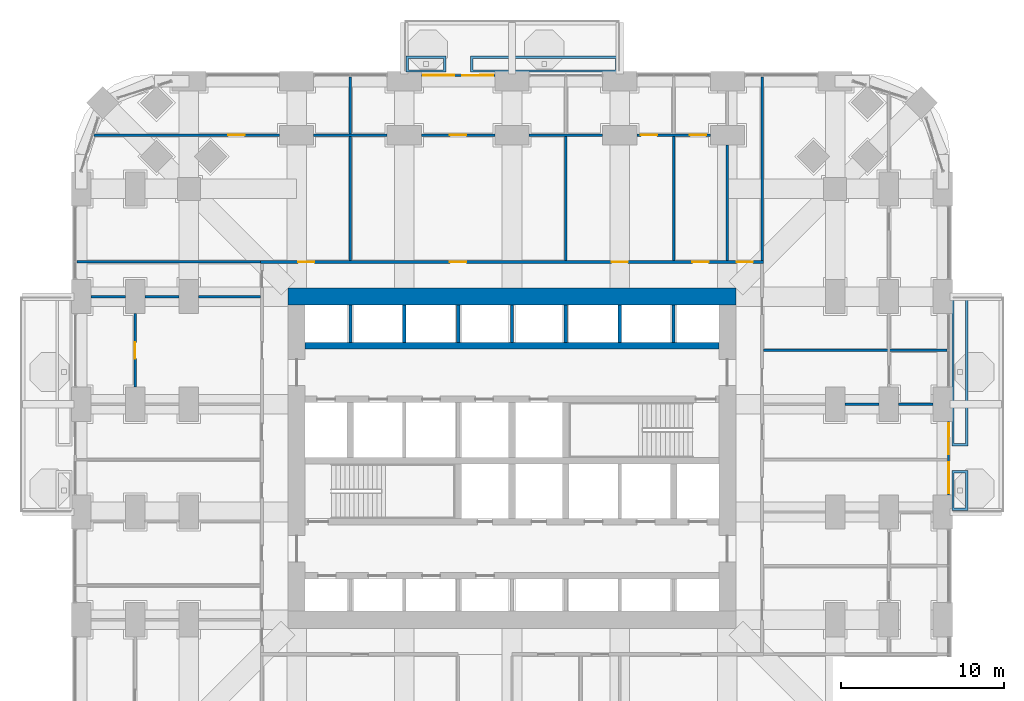
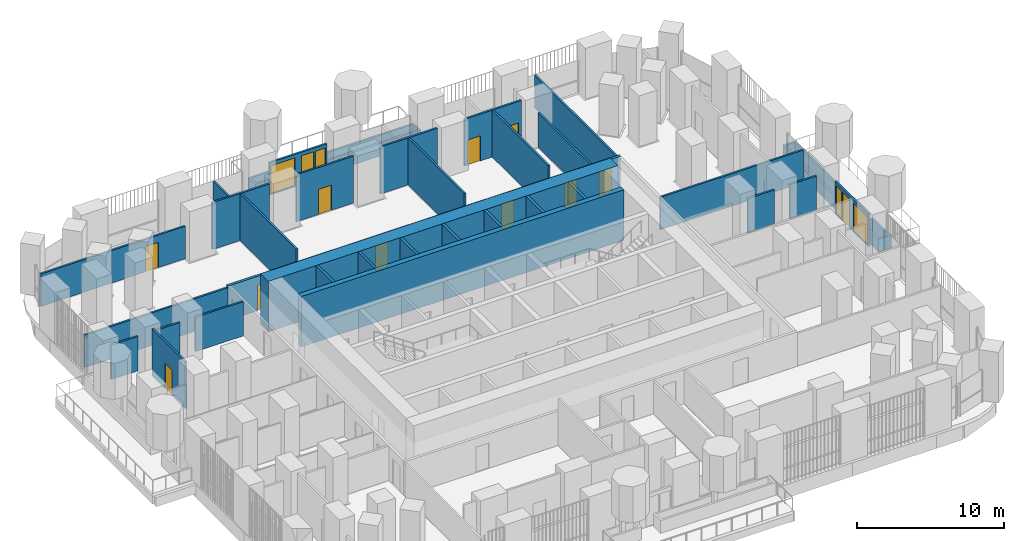
# One storey, part 20 of 26: 35 walls, 12 doors, 4 windows, 16 openings.
"""IFC4 building model written with IfcOpenShell, lengths in metres."""

from ifc_helpers import new_model, si_unit, direction, frame, frame_2d, origin, place, context, subcontext, project, spatial, polyline, rectangle, outline, extrude, material, layer, layer_set, type_object, element, fill, save


model = new_model("IFC4")

# Units and contexts
model_context = context("Model", 3, precision=1e-05, world=origin(), true_north=direction((0.0, 1.0)))
body_context = subcontext(model_context, "Body", "Model", "MODEL_VIEW")
ifc_project = project(units=[si_unit("LENGTHUNIT", "METRE"), si_unit("AREAUNIT", "SQUARE_METRE"), si_unit("VOLUMEUNIT", "CUBIC_METRE"), si_unit("PLANEANGLEUNIT", "RADIAN"), si_unit("MASSUNIT", "GRAM", prefix="KILO")], contexts=[model_context])

# Site, building, storey
site_placement = place(None, origin())
site = spatial("IfcSite", under=ifc_project, at=site_placement, CompositionType="ELEMENT")
building_placement = place(site_placement, origin())
building = spatial("IfcBuilding", under=site, at=building_placement, Name="Cobogo Forest Laboratory Tower", CompositionType="ELEMENT")
storey_placement = place(building_placement, frame((0.0, 0.0, 50.699951171875)))
storey = spatial("IfcBuildingStorey", under=building, at=storey_placement, Name="L11", CompositionType="ELEMENT", Elevation=50.699951171875)

# Walls
ifc_material_1 = material(Name="Concrete HA-50 (C50/60)", Category="concrete")
ifc_layer_1 = layer(ifc_material_1, 0.39990234375)
ifc_layer_set_1 = layer_set([ifc_layer_1], Name="CI400 core inner wall 400")
wall_type_1 = type_object("IfcWallType", Name="CI400 core inner wall 400", PredefinedType="SHEAR", material=ifc_layer_set_1)
wall_1_placement = place(storey_placement, frame((13.72509765625, 30.0, 0.0), z_axis=(0.0, 0.0, 1.0), x_axis=(1.0, 0.0, 0.0)))
element("IfcWall", 1, at=wall_1_placement, inside=storey, type_object=wall_type_1, Name="Core wall CI-30.0 L11", PredefinedType="SHEAR", context=body_context, shape_type="SweptSolid", body=[
    extrude(rectangle(XDim=25.349853515625, YDim=0.39990234375, at=frame_2d((12.6748046875, 0.0))), origin(), (0.0, 0.0, 1.0), 4.199951171875),
])
ifc_layer_2 = layer(ifc_material_1, 1.050048828125)
ifc_layer_set_2 = layer_set([ifc_layer_2], Name="CW1050 core outer wall 1050")
wall_type_2 = type_object("IfcWallType", Name="CW1050 core outer wall 1050", PredefinedType="SHEAR", material=ifc_layer_set_2)
wall_2_placement = place(storey_placement, frame((40.125, 33.0, 0.0), z_axis=(0.0, 0.0, 1.0), x_axis=(-1.0, 0.0, 0.0)))
element("IfcWall", 2, at=wall_2_placement, inside=storey, type_object=wall_type_2, Name="Core wall CO-N L11", PredefinedType="SHEAR", context=body_context, shape_type="SweptSolid", body=[
    extrude(rectangle(XDim=27.449951171875, YDim=1.050048828125, at=frame_2d((13.72509765625, 0.0))), origin(), (0.0, 0.0, 1.0), 4.199951171875),
])

# Wall, openings, door, windows
ifc_material_2 = material(Name="Aluminium framed glazed screen", Category="aluminium")
ifc_layer_3 = layer(ifc_material_2, 0.14990234375)
ifc_layer_set_3 = layer_set([ifc_layer_3], Name="GS1 glazed door screen 150")
wall_type_3 = type_object("IfcWallType", Name="GS1 glazed door screen 150", PredefinedType="SOLIDWALL", material=ifc_layer_set_3)
wall_3_placement = place(storey_placement, frame((53.14990234375, 20.85009765625, 0.0), z_axis=(0.0, 0.0, 1.0), x_axis=(0.0, 1.0, 0.0)))
wall_3 = element("IfcWall", 3, at=wall_3_placement, inside=storey, type_object=wall_type_3, Name="Door screen BAL-E1 L11", PredefinedType="SOLIDWALL", context=body_context, shape_type="SweptSolid", body=[
    extrude(rectangle(XDim=4.5, YDim=0.14990234375, at=frame_2d((2.25, 0.0))), origin(), (0.0, 0.0, 1.0), 2.699951171875),
])
opening_1_placement = place(wall_3_placement, frame((2.5, 0.0, 0.0)))
opening_1 = element("IfcOpeningElement", 4, at=opening_1_placement, cuts=wall_3, Name="Opening L11-D26", PredefinedType="OPENING", context=body_context, shape_type="SweptSolid", body=[
    extrude(rectangle(XDim=1.0, YDim=2.39990234375, at=frame_2d((0.5, 1.199951171875))), frame((0.0, 0.0849609375, 0.0), z_axis=(0.0, -1.0, 0.0), x_axis=(1.0, 0.0, 0.0)), (0.0, 0.0, 1.0), 0.169921875),
])
opening_2_placement = place(wall_3_placement, frame((0.10009765625, 0.0, 0.10009765625)))
opening_2 = element("IfcOpeningElement", 5, at=opening_2_placement, cuts=wall_3, Name="Opening L11-W04", PredefinedType="OPENING", context=body_context, shape_type="SweptSolid", body=[
    extrude(rectangle(XDim=1.89990234375, YDim=2.300048828125, at=frame_2d((0.949951171875, 1.14990234375))), frame((0.0, 0.0849609375, 0.0), z_axis=(0.0, -1.0, 0.0), x_axis=(1.0, 0.0, 0.0)), (0.0, 0.0, 1.0), 0.169921875),
])
opening_3_placement = place(wall_3_placement, frame((3.60009765625, 0.0, 0.10009765625)))
opening_3 = element("IfcOpeningElement", 6, at=opening_3_placement, cuts=wall_3, Name="Opening L11-W06", PredefinedType="OPENING", context=body_context, shape_type="SweptSolid", body=[
    extrude(rectangle(XDim=0.800048828125, YDim=2.300048828125, at=frame_2d((0.39990234375, 1.14990234375))), frame((0.0, 0.0849609375, 0.0), z_axis=(0.0, -1.0, 0.0), x_axis=(1.0, 0.0, 0.0)), (0.0, 0.0, 1.0), 0.169921875),
])
ifc_material_3 = material(Name="Aluminium glazed door", Category="aluminium")
door_type_1 = type_object("IfcDoorType", Name="DB1 balcony door 1000 glazed", OperationType="SINGLE_SWING_LEFT", PredefinedType="DOOR", material=ifc_material_3)
door_1_placement = place(opening_1_placement, origin())
door_1 = element("IfcDoor", 7, at=door_1_placement, inside=storey, type_object=door_type_1, Name="Door L11-BAL-E1", OperationType="SINGLE_SWING_RIGHT", OverallHeight=2.39990234375, OverallWidth=1.0, PredefinedType="DOOR", context=body_context, shape_type="SweptSolid", body=[
    extrude(rectangle(XDim=1.0, YDim=2.39990234375, at=frame_2d((0.5, 1.199951171875))), frame((0.0, 0.02490234375, 0.0), z_axis=(0.0, -1.0, 0.0), x_axis=(1.0, 0.0, 0.0)), (0.0, 0.0, 1.0), 0.050048828125),
])
fill(opening_1, door_1)
ifc_material_4 = material(Name="Aluminium framed glazing", Category="aluminium")
window_type_1 = type_object("IfcWindowType", Name="WG3 fixed glazed light 1900x2300", PartitioningType="SINGLE_PANEL", PredefinedType="WINDOW", material=ifc_material_4)
window_1_placement = place(opening_2_placement, origin())
window_1 = element("IfcWindow", 8, at=window_1_placement, inside=storey, type_object=window_type_1, Name="Window L11-BAL-E1-1", OverallHeight=2.300048828125, OverallWidth=1.89990234375, PartitioningType="SINGLE_PANEL", PredefinedType="WINDOW", context=body_context, shape_type="SweptSolid", body=[
    extrude(rectangle(XDim=1.89990234375, YDim=2.300048828125, at=frame_2d((0.949951171875, 1.14990234375))), frame((0.0, 0.030029296875, 0.0), z_axis=(0.0, -1.0, 0.0), x_axis=(1.0, 0.0, 0.0)), (0.0, 0.0, 1.0), 0.06005859375),
])
fill(opening_2, window_1)
window_type_2 = type_object("IfcWindowType", Name="WG4 fixed glazed light 800x2300", PartitioningType="SINGLE_PANEL", PredefinedType="WINDOW", material=ifc_material_4)
window_2_placement = place(opening_3_placement, origin())
window_2 = element("IfcWindow", 9, at=window_2_placement, inside=storey, type_object=window_type_2, Name="Window L11-BAL-E1-2", OverallHeight=2.300048828125, OverallWidth=0.800048828125, PartitioningType="SINGLE_PANEL", PredefinedType="WINDOW", context=body_context, shape_type="SweptSolid", body=[
    extrude(rectangle(XDim=0.800048828125, YDim=2.300048828125, at=frame_2d((0.39990234375, 1.14990234375))), frame((0.0, 0.030029296875, 0.0), z_axis=(0.0, -1.0, 0.0), x_axis=(1.0, 0.0, 0.0)), (0.0, 0.0, 1.0), 0.06005859375),
])
fill(opening_3, window_2)

wall_4_placement = place(storey_placement, frame((25.35009765625, 46.550048828125, 0.0), z_axis=(0.0, 0.0, 1.0), x_axis=(-1.0, 0.0, 0.0)))
wall_4 = element("IfcWall", 10, at=wall_4_placement, inside=storey, type_object=wall_type_3, Name="Door screen BAL-N1 L11", PredefinedType="SOLIDWALL", context=body_context, shape_type="SweptSolid", body=[
    extrude(rectangle(XDim=4.5, YDim=0.14990234375, at=frame_2d((2.25, 0.0))), origin(), (0.0, 0.0, 1.0), 2.699951171875),
])
opening_4_placement = place(wall_4_placement, frame((1.0, 0.0, 0.0)))
opening_4 = element("IfcOpeningElement", 11, at=opening_4_placement, cuts=wall_4, Name="Opening L11-D48", PredefinedType="OPENING", context=body_context, shape_type="SweptSolid", body=[
    extrude(rectangle(XDim=1.0, YDim=2.39990234375, at=frame_2d((0.5, 1.199951171875))), frame((0.0, 0.0849609375, 0.0), z_axis=(0.0, -1.0, 0.0), x_axis=(1.0, 0.0, 0.0)), (0.0, 0.0, 1.0), 0.169921875),
])
opening_5_placement = place(wall_4_placement, frame((0.10009765625, 0.0, 0.10009765625)))
opening_5 = element("IfcOpeningElement", 12, at=opening_5_placement, cuts=wall_4, Name="Opening L11-W08", PredefinedType="OPENING", context=body_context, shape_type="SweptSolid", body=[
    extrude(rectangle(XDim=0.800048828125, YDim=2.300048828125, at=frame_2d((0.39990234375, 1.14990234375))), frame((0.0, 0.0849609375, 0.0), z_axis=(0.0, -1.0, 0.0), x_axis=(1.0, 0.0, 0.0)), (0.0, 0.0, 1.0), 0.169921875),
])
opening_6_placement = place(wall_4_placement, frame((2.5, 0.0, 0.10009765625)))
opening_6 = element("IfcOpeningElement", 13, at=opening_6_placement, cuts=wall_4, Name="Opening L11-W07", PredefinedType="OPENING", context=body_context, shape_type="SweptSolid", body=[
    extrude(rectangle(XDim=1.89990234375, YDim=2.300048828125, at=frame_2d((0.949951171875, 1.14990234375))), frame((0.0, 0.0849609375, 0.0), z_axis=(0.0, -1.0, 0.0), x_axis=(1.0, 0.0, 0.0)), (0.0, 0.0, 1.0), 0.169921875),
])
door_2_placement = place(opening_4_placement, origin())
door_2 = element("IfcDoor", 14, at=door_2_placement, inside=storey, type_object=door_type_1, Name="Door L11-BAL-N1", OperationType="SINGLE_SWING_LEFT", OverallHeight=2.39990234375, OverallWidth=1.0, PredefinedType="DOOR", context=body_context, shape_type="SweptSolid", body=[
    extrude(rectangle(XDim=1.0, YDim=2.39990234375, at=frame_2d((0.5, 1.199951171875))), frame((0.0, 0.02490234375, 0.0), z_axis=(0.0, -1.0, 0.0), x_axis=(1.0, 0.0, 0.0)), (0.0, 0.0, 1.0), 0.050048828125),
])
fill(opening_4, door_2)
window_3_placement = place(opening_6_placement, origin())
window_3 = element("IfcWindow", 15, at=window_3_placement, inside=storey, type_object=window_type_1, Name="Window L11-BAL-N1-2", OverallHeight=2.300048828125, OverallWidth=1.89990234375, PartitioningType="SINGLE_PANEL", PredefinedType="WINDOW", context=body_context, shape_type="SweptSolid", body=[
    extrude(rectangle(XDim=1.89990234375, YDim=2.300048828125, at=frame_2d((0.949951171875, 1.14990234375))), frame((0.0, 0.030029296875, 0.0), z_axis=(0.0, -1.0, 0.0), x_axis=(1.0, 0.0, 0.0)), (0.0, 0.0, 1.0), 0.06005859375),
])
fill(opening_6, window_3)
window_4_placement = place(opening_5_placement, origin())
window_4 = element("IfcWindow", 16, at=window_4_placement, inside=storey, type_object=window_type_2, Name="Window L11-BAL-N1-1", OverallHeight=2.300048828125, OverallWidth=0.800048828125, PartitioningType="SINGLE_PANEL", PredefinedType="WINDOW", context=body_context, shape_type="SweptSolid", body=[
    extrude(rectangle(XDim=0.800048828125, YDim=2.300048828125, at=frame_2d((0.39990234375, 1.14990234375))), frame((0.0, 0.030029296875, 0.0), z_axis=(0.0, -1.0, 0.0), x_axis=(1.0, 0.0, 0.0)), (0.0, 0.0, 1.0), 0.06005859375),
])
fill(opening_5, window_4)

# Walls
ifc_material_5 = material(Name="Gypsum board on steel studs", Category="steel")
ifc_layer_4 = layer(ifc_material_5, 0.14990234375)
ifc_layer_set_4 = layer_set([ifc_layer_4], Name="PT1 laboratory partition 150")
wall_type_4 = type_object("IfcWallType", Name="PT1 laboratory partition 150", PredefinedType="PARTITIONING", material=ifc_layer_set_4)
wall_5_placement = place(storey_placement, frame((41.72509765625, 46.469970703125, 0.0), z_axis=(0.0, 0.0, 1.0), x_axis=(0.0, -1.0, 0.0)))
element("IfcWall", 17, at=wall_5_placement, inside=storey, type_object=wall_type_4, Name="Partition PW-NE L11", PredefinedType="PARTITIONING", context=body_context, shape_type="SweptSolid", body=[
    extrude(rectangle(XDim=11.244873046875, YDim=0.14990234375, at=frame_2d((5.62255859375, 0.0))), origin(), (0.0, 0.0, 1.0), 2.699951171875),
])
wall_6_placement = place(storey_placement, frame((-0.27001953125, 35.125, 0.0), z_axis=(0.0, 0.0, 1.0), x_axis=(1.0, 0.0, 0.0)))
element("IfcWall", 18, at=wall_6_placement, inside=storey, type_object=wall_type_4, Name="Partition PW-NW L11", PredefinedType="PARTITIONING", context=body_context, shape_type="SweptSolid", body=[
    extrude(rectangle(XDim=11.2451171875, YDim=0.14990234375, at=frame_2d((5.62255859375, 0.0))), origin(), (0.0, 0.0, 1.0), 2.699951171875),
])
for number, where, z_axis, x_axis, name in (
    (19, (52.199951171875, 26.39990234375, 0.0), (0.0, 0.0, 1.0), (-1.0, 0.0, 0.0), "Partition SVC-E2-1 L11"),
    (20, (48.89990234375, 26.39990234375, 0.0), (0.0, 0.0, 1.0), (-1.0, 0.0, 0.0), "Partition SVC-E2-2 L11"),
):
    element("IfcWall", number, at=place(storey_placement, frame(where, z_axis=z_axis, x_axis=x_axis)), inside=storey, type_object=wall_type_4, Name=name, PredefinedType="PARTITIONING", context=body_context, shape_type="SweptSolid", body=[
        extrude(rectangle(XDim=2.099853515625, YDim=0.14990234375, at=frame_2d((1.0498046875, 0.0))), origin(), (0.0, 0.0, 1.0), 2.85009765625),
    ])
wall_7_placement = place(storey_placement, frame((53.070068359375, 29.699951171875, 0.0), z_axis=(0.0, 0.0, 1.0), x_axis=(-1.0, 0.0, 0.0)))
element("IfcWall", 21, at=wall_7_placement, inside=storey, type_object=wall_type_4, Name="Partition CUT-E29.7-1 L11", PredefinedType="PARTITIONING", context=body_context, shape_type="SweptSolid", body=[
    extrude(rectangle(XDim=11.2451171875, YDim=0.14990234375, at=frame_2d((5.62255859375, 0.0))), origin(), (0.0, 0.0, 1.0), 2.699951171875),
])

# Wall, openings, doors
wall_8_placement = place(storey_placement, frame((38.550048828125, 42.89990234375, 0.0), z_axis=(0.0, 0.0, 1.0), x_axis=(-1.0, 0.0, 0.0)))
wall_8 = element("IfcWall", 22, at=wall_8_placement, inside=storey, type_object=wall_type_4, Name="Partition STRIP-N-1 L11", PredefinedType="PARTITIONING", context=body_context, shape_type="SweptSolid", body=[
    extrude(rectangle(XDim=4.5, YDim=0.14990234375, at=frame_2d((2.25, 0.0))), origin(), (0.0, 0.0, 1.0), 3.900146484375),
])
opening_7_placement = place(wall_8_placement, frame((3.25, 0.0, 0.0)))
opening_7 = element("IfcOpeningElement", 23, at=opening_7_placement, cuts=wall_8, Name="Opening L11-D46", PredefinedType="OPENING", context=body_context, shape_type="SweptSolid", body=[
    extrude(rectangle(XDim=1.0, YDim=2.10009765625, at=frame_2d((0.5, 1.050048828125))), frame((0.0, 0.0849609375, 0.0), z_axis=(0.0, -1.0, 0.0), x_axis=(1.0, 0.0, 0.0)), (0.0, 0.0, 1.0), 0.169921875),
])
opening_8_placement = place(wall_8_placement, frame((0.25, 0.0, 0.0)))
opening_8 = element("IfcOpeningElement", 24, at=opening_8_placement, cuts=wall_8, Name="Opening L11-D47", PredefinedType="OPENING", context=body_context, shape_type="SweptSolid", body=[
    extrude(rectangle(XDim=1.0, YDim=2.10009765625, at=frame_2d((0.5, 1.050048828125))), frame((0.0, 0.0849609375, 0.0), z_axis=(0.0, -1.0, 0.0), x_axis=(1.0, 0.0, 0.0)), (0.0, 0.0, 1.0), 0.169921875),
])
ifc_material_6 = material(Name="Timber fire door", Category="wood")
door_type_2 = type_object("IfcDoorType", Name="FD2 fire door 1000 EI2 30", OperationType="SINGLE_SWING_LEFT", PredefinedType="DOOR", material=ifc_material_6)
door_3_placement = place(opening_7_placement, origin())
door_3 = element("IfcDoor", 25, at=door_3_placement, inside=storey, type_object=door_type_2, Name="Door L11-N3W", OperationType="SINGLE_SWING_RIGHT", OverallHeight=2.10009765625, OverallWidth=1.0, PredefinedType="DOOR", context=body_context, shape_type="SweptSolid", body=[
    extrude(rectangle(XDim=1.0, YDim=2.10009765625, at=frame_2d((0.5, 1.050048828125))), frame((0.0, 0.02490234375, 0.0), z_axis=(0.0, -1.0, 0.0), x_axis=(1.0, 0.0, 0.0)), (0.0, 0.0, 1.0), 0.050048828125),
])
fill(opening_7, door_3)
door_4_placement = place(opening_8_placement, origin())
door_4 = element("IfcDoor", 26, at=door_4_placement, inside=storey, type_object=door_type_2, Name="Door L11-N4W", OperationType="SINGLE_SWING_LEFT", OverallHeight=2.10009765625, OverallWidth=1.0, PredefinedType="DOOR", context=body_context, shape_type="SweptSolid", body=[
    extrude(rectangle(XDim=1.0, YDim=2.10009765625, at=frame_2d((0.5, 1.050048828125))), frame((0.0, 0.02490234375, 0.0), z_axis=(0.0, -1.0, 0.0), x_axis=(1.0, 0.0, 0.0)), (0.0, 0.0, 1.0), 0.050048828125),
])
fill(opening_8, door_4)

# Wall
wall_9_placement = place(storey_placement, frame((31.949951171875, 42.89990234375, 0.0), z_axis=(0.0, 0.0, 1.0), x_axis=(-1.0, 0.0, 0.0)))
element("IfcWall", 27, at=wall_9_placement, inside=storey, type_object=wall_type_4, Name="Partition STRIP-N-2 L11", PredefinedType="PARTITIONING", context=body_context, shape_type="SweptSolid", body=[
    extrude(rectangle(XDim=4.5, YDim=0.14990234375, at=frame_2d((2.25, 0.0))), origin(), (0.0, 0.0, 1.0), 3.900146484375),
])

# Wall, opening, door
wall_10_placement = place(storey_placement, frame((25.35009765625, 42.89990234375, 0.0), z_axis=(0.0, 0.0, 1.0), x_axis=(-1.0, 0.0, 0.0)))
wall_10 = element("IfcWall", 28, at=wall_10_placement, inside=storey, type_object=wall_type_4, Name="Partition STRIP-N-3 L11", PredefinedType="PARTITIONING", context=body_context, shape_type="SweptSolid", body=[
    extrude(rectangle(XDim=4.5, YDim=0.14990234375, at=frame_2d((2.25, 0.0))), origin(), (0.0, 0.0, 1.0), 3.900146484375),
])
opening_9_placement = place(wall_10_placement, frame((1.75, 0.0, 0.0)))
opening_9 = element("IfcOpeningElement", 29, at=opening_9_placement, cuts=wall_10, Name="Opening L11-D45", PredefinedType="OPENING", context=body_context, shape_type="SweptSolid", body=[
    extrude(rectangle(XDim=1.0, YDim=2.10009765625, at=frame_2d((0.5, 1.050048828125))), frame((0.0, 0.0849609375, 0.0), z_axis=(0.0, -1.0, 0.0), x_axis=(1.0, 0.0, 0.0)), (0.0, 0.0, 1.0), 0.169921875),
])
door_5_placement = place(opening_9_placement, origin())
door_5 = element("IfcDoor", 30, at=door_5_placement, inside=storey, type_object=door_type_2, Name="Door L11-N2W", OperationType="SINGLE_SWING_RIGHT", OverallHeight=2.10009765625, OverallWidth=1.0, PredefinedType="DOOR", context=body_context, shape_type="SweptSolid", body=[
    extrude(rectangle(XDim=1.0, YDim=2.10009765625, at=frame_2d((0.5, 1.050048828125))), frame((0.0, 0.02490234375, 0.0), z_axis=(0.0, -1.0, 0.0), x_axis=(1.0, 0.0, 0.0)), (0.0, 0.0, 1.0), 0.050048828125),
])
fill(opening_9, door_5)

# Wall
wall_11_placement = place(storey_placement, frame((18.75, 42.89990234375, 0.0), z_axis=(0.0, 0.0, 1.0), x_axis=(-1.0, 0.0, 0.0)))
element("IfcWall", 31, at=wall_11_placement, inside=storey, type_object=wall_type_4, Name="Partition STRIP-N-4 L11", PredefinedType="PARTITIONING", context=body_context, shape_type="SweptSolid", body=[
    extrude(rectangle(XDim=4.5, YDim=0.14990234375, at=frame_2d((2.25, 0.0))), origin(), (0.0, 0.0, 1.0), 3.900146484375),
])

# Wall, opening, door
wall_12_placement = place(storey_placement, frame((12.14990234375, 42.89990234375, 0.0), z_axis=(0.0, 0.0, 1.0), x_axis=(-1.0, 0.0, 0.0)))
wall_12 = element("IfcWall", 32, at=wall_12_placement, inside=storey, type_object=wall_type_4, Name="Partition STRIP-N-5 L11", PredefinedType="PARTITIONING", context=body_context, shape_type="SweptSolid", body=[
    extrude(rectangle(XDim=11.373779296875, YDim=0.14990234375, at=frame_2d((5.68701171875, 0.0))), origin(), (0.0, 0.0, 1.0), 2.699951171875),
])
opening_10_placement = place(wall_12_placement, frame((2.14208984375, 0.0, 0.0)))
opening_10 = element("IfcOpeningElement", 33, at=opening_10_placement, cuts=wall_12, Name="Opening L11-D44", PredefinedType="OPENING", context=body_context, shape_type="SweptSolid", body=[
    extrude(rectangle(XDim=1.0, YDim=2.10009765625, at=frame_2d((0.5, 1.050048828125))), frame((0.0, 0.0849609375, 0.0), z_axis=(0.0, -1.0, 0.0), x_axis=(1.0, 0.0, 0.0)), (0.0, 0.0, 1.0), 0.169921875),
])
door_6_placement = place(opening_10_placement, origin())
door_6 = element("IfcDoor", 34, at=door_6_placement, inside=storey, type_object=door_type_2, Name="Door L11-N1W", OperationType="SINGLE_SWING_LEFT", OverallHeight=2.10009765625, OverallWidth=1.0, PredefinedType="DOOR", context=body_context, shape_type="SweptSolid", body=[
    extrude(rectangle(XDim=1.0, YDim=2.10009765625, at=frame_2d((0.5, 1.050048828125))), frame((0.0, 0.02490234375, 0.0), z_axis=(0.0, -1.0, 0.0), x_axis=(1.0, 0.0, 0.0)), (0.0, 0.0, 1.0), 0.050048828125),
])
fill(opening_10, door_6)

# Walls
wall_13_placement = place(storey_placement, frame((16.5, 46.469970703125, 0.0), z_axis=(0.0, 0.0, 1.0), x_axis=(0.0, -1.0, 0.0)))
element("IfcWall", 35, at=wall_13_placement, inside=storey, type_object=wall_type_4, Name="Partition CUT-N16.5a-1 L11", PredefinedType="PARTITIONING", context=body_context, shape_type="SweptSolid", body=[
    extrude(rectangle(XDim=3.494873046875, YDim=0.14990234375, at=frame_2d((1.74755859375, 0.0))), origin(), (0.0, 0.0, 1.0), 2.699951171875),
])
for number, where, z_axis, x_axis, name in (
    (36, (16.5, 42.824951171875, 0.0), (0.0, 0.0, 1.0), (0.0, -1.0, 0.0), "Partition CUT-N16.5b-1 L11"),
    (37, (29.699951171875, 42.824951171875, 0.0), (0.0, 0.0, 1.0), (0.0, -1.0, 0.0), "Partition CUT-N29.7b-1 L11"),
    (38, (36.300048828125, 42.824951171875, 0.0), (0.0, 0.0, 1.0), (0.0, -1.0, 0.0), "Partition CUT-N36.3b-1 L11"),
):
    element("IfcWall", number, at=place(storey_placement, frame(where, z_axis=z_axis, x_axis=x_axis)), inside=storey, type_object=wall_type_4, Name=name, PredefinedType="PARTITIONING", context=body_context, shape_type="SweptSolid", body=[
        extrude(rectangle(XDim=7.599853515625, YDim=0.14990234375, at=frame_2d((3.7998046875, 0.0))), origin(), (0.0, 0.0, 1.0), 3.900146484375),
    ])
wall_14_placement = place(storey_placement, frame((39.60009765625, 42.300048828125, 0.0), z_axis=(0.0, 0.0, 1.0), x_axis=(0.0, -1.0, 0.0)))
element("IfcWall", 39, at=wall_14_placement, inside=storey, type_object=wall_type_4, Name="Partition CUT-N39.6-2 L11", PredefinedType="PARTITIONING", context=body_context, shape_type="SweptSolid", body=[
    extrude(rectangle(XDim=7.074951171875, YDim=0.14990234375, at=frame_2d((3.53759765625, 0.0))), origin(), (0.0, 0.0, 1.0), 2.85009765625),
])

# Wall, opening, door
wall_15_placement = place(storey_placement, frame((3.300048828125, 31.949951171875, 0.0), z_axis=(0.0, 0.0, 1.0), x_axis=(0.0, -1.0, 0.0)))
wall_15 = element("IfcWall", 40, at=wall_15_placement, inside=storey, type_object=wall_type_4, Name="Partition STRIP-W-1 L11", PredefinedType="PARTITIONING", context=body_context, shape_type="SweptSolid", body=[
    extrude(rectangle(XDim=4.5, YDim=0.14990234375, at=frame_2d((2.25, 0.0))), origin(), (0.0, 0.0, 1.0), 3.900146484375),
])
opening_11_placement = place(wall_15_placement, frame((1.75, 0.0, 0.0)))
opening_11 = element("IfcOpeningElement", 41, at=opening_11_placement, cuts=wall_15, Name="Opening L11-D34", PredefinedType="OPENING", context=body_context, shape_type="SweptSolid", body=[
    extrude(rectangle(XDim=1.0, YDim=2.10009765625, at=frame_2d((0.5, 1.050048828125))), frame((0.0, 0.0849609375, 0.0), z_axis=(0.0, -1.0, 0.0), x_axis=(1.0, 0.0, 0.0)), (0.0, 0.0, 1.0), 0.169921875),
])
door_7_placement = place(opening_11_placement, origin())
door_7 = element("IfcDoor", 42, at=door_7_placement, inside=storey, type_object=door_type_2, Name="Door L11-W3W", OperationType="SINGLE_SWING_RIGHT", OverallHeight=2.10009765625, OverallWidth=1.0, PredefinedType="DOOR", context=body_context, shape_type="SweptSolid", body=[
    extrude(rectangle(XDim=1.0, YDim=2.10009765625, at=frame_2d((0.5, 1.050048828125))), frame((0.0, 0.02490234375, 0.0), z_axis=(0.0, -1.0, 0.0), x_axis=(1.0, 0.0, 0.0)), (0.0, 0.0, 1.0), 0.050048828125),
])
fill(opening_11, door_7)

# Walls
wall_16_placement = place(storey_placement, frame((0.60009765625, 33.0, 0.0), z_axis=(0.0, 0.0, 1.0), x_axis=(1.0, 0.0, 0.0)))
element("IfcWall", 43, at=wall_16_placement, inside=storey, type_object=wall_type_4, Name="Partition CUT-W33-1 L11", PredefinedType="PARTITIONING", context=body_context, shape_type="SweptSolid", body=[
    extrude(rectangle(XDim=2.099853515625, YDim=0.14990234375, at=frame_2d((1.0498046875, 0.0))), origin(), (0.0, 0.0, 1.0), 2.85009765625),
])
wall_17_placement = place(storey_placement, frame((3.89990234375, 33.0, 0.0), z_axis=(0.0, 0.0, 1.0), x_axis=(1.0, 0.0, 0.0)))
element("IfcWall", 44, at=wall_17_placement, inside=storey, type_object=wall_type_4, Name="Partition CUT-W33-2 L11", PredefinedType="PARTITIONING", context=body_context, shape_type="SweptSolid", body=[
    extrude(rectangle(XDim=2.10009765625, YDim=0.14990234375, at=frame_2d((1.050048828125, 0.0))), origin(), (0.0, 0.0, 1.0), 2.85009765625),
])
wall_18_placement = place(storey_placement, frame((7.199951171875, 33.0, 0.0), z_axis=(0.0, 0.0, 1.0), x_axis=(1.0, 0.0, 0.0)))
element("IfcWall", 45, at=wall_18_placement, inside=storey, type_object=wall_type_4, Name="Partition CUT-W33-3 L11", PredefinedType="PARTITIONING", context=body_context, shape_type="SweptSolid", body=[
    extrude(rectangle(XDim=3.775146484375, YDim=0.14990234375, at=frame_2d((1.8876953125, 0.0))), origin(), (0.0, 0.0, 1.0), 2.85009765625),
])

# Wall, openings, doors
ifc_layer_5 = layer(ifc_material_5, 0.199951171875)
ifc_layer_set_5 = layer_set([ifc_layer_5], Name="PT2 fire-rated corridor partition 200")
wall_type_5 = type_object("IfcWallType", Name="PT2 fire-rated corridor partition 200", PredefinedType="PARTITIONING", material=ifc_layer_set_5)
wall_19_placement = place(storey_placement, frame((10.97509765625, 35.125, 0.0), z_axis=(0.0, 0.0, 1.0), x_axis=(1.0, 0.0, 0.0)))
wall_19 = element("IfcWall", 46, at=wall_19_placement, inside=storey, type_object=wall_type_5, Name="Partition CORR-N L11", PredefinedType="PARTITIONING", context=body_context, shape_type="SweptSolid", body=[
    extrude(rectangle(XDim=30.849853515625, YDim=0.199951171875, at=frame_2d((15.4248046875, 0.0))), origin(), (0.0, 0.0, 1.0), 2.85009765625),
])
opening_12_placement = place(wall_19_placement, frame((2.3125, 0.0, 0.0)))
opening_12 = element("IfcOpeningElement", 47, at=opening_12_placement, cuts=wall_19, Name="Opening L11-D38", PredefinedType="OPENING", context=body_context, shape_type="SweptSolid", body=[
    extrude(rectangle(XDim=1.0, YDim=2.10009765625, at=frame_2d((0.5, 1.050048828125))), frame((0.0, 0.10986328125, 0.0), z_axis=(0.0, -1.0, 0.0), x_axis=(1.0, 0.0, 0.0)), (0.0, 0.0, 1.0), 0.219970703125),
])
opening_13_placement = place(wall_19_placement, frame((11.625, 0.0, 0.0)))
opening_13 = element("IfcOpeningElement", 48, at=opening_13_placement, cuts=wall_19, Name="Opening L11-D39", PredefinedType="OPENING", context=body_context, shape_type="SweptSolid", body=[
    extrude(rectangle(XDim=1.0, YDim=2.10009765625, at=frame_2d((0.5, 1.050048828125))), frame((0.0, 0.10986328125, 0.0), z_axis=(0.0, -1.0, 0.0), x_axis=(1.0, 0.0, 0.0)), (0.0, 0.0, 1.0), 0.219970703125),
])
opening_14_placement = place(wall_19_placement, frame((21.52490234375, 0.0, 0.0)))
opening_14 = element("IfcOpeningElement", 49, at=opening_14_placement, cuts=wall_19, Name="Opening L11-D40", PredefinedType="OPENING", context=body_context, shape_type="SweptSolid", body=[
    extrude(rectangle(XDim=1.0, YDim=2.10009765625, at=frame_2d((0.5, 1.050048828125))), frame((0.0, 0.10986328125, 0.0), z_axis=(0.0, -1.0, 0.0), x_axis=(1.0, 0.0, 0.0)), (0.0, 0.0, 1.0), 0.219970703125),
])
opening_15_placement = place(wall_19_placement, frame((26.47509765625, 0.0, 0.0)))
opening_15 = element("IfcOpeningElement", 50, at=opening_15_placement, cuts=wall_19, Name="Opening L11-D41", PredefinedType="OPENING", context=body_context, shape_type="SweptSolid", body=[
    extrude(rectangle(XDim=1.0, YDim=2.10009765625, at=frame_2d((0.5, 1.050048828125))), frame((0.0, 0.10986328125, 0.0), z_axis=(0.0, -1.0, 0.0), x_axis=(1.0, 0.0, 0.0)), (0.0, 0.0, 1.0), 0.219970703125),
])
opening_16_placement = place(wall_19_placement, frame((29.1875, 0.0, 0.0)))
opening_16 = element("IfcOpeningElement", 51, at=opening_16_placement, cuts=wall_19, Name="Opening L11-D42", PredefinedType="OPENING", context=body_context, shape_type="SweptSolid", body=[
    extrude(rectangle(XDim=1.0, YDim=2.10009765625, at=frame_2d((0.5, 1.050048828125))), frame((0.0, 0.10986328125, 0.0), z_axis=(0.0, -1.0, 0.0), x_axis=(1.0, 0.0, 0.0)), (0.0, 0.0, 1.0), 0.219970703125),
])
ifc_material_7 = material(Name="Steel fire door", Category="steel")
door_type_3 = type_object("IfcDoorType", Name="FD1 fire door 1000 EI2 60", OperationType="SINGLE_SWING_LEFT", PredefinedType="DOOR", material=ifc_material_7)
door_8_placement = place(opening_14_placement, origin())
door_8 = element("IfcDoor", 52, at=door_8_placement, inside=storey, type_object=door_type_3, Name="Door L11-N3", OperationType="SINGLE_SWING_RIGHT", OverallHeight=2.10009765625, OverallWidth=1.0, PredefinedType="DOOR", context=body_context, shape_type="SweptSolid", body=[
    extrude(rectangle(XDim=1.0, YDim=2.10009765625, at=frame_2d((0.5, 1.050048828125))), frame((0.0, 0.02490234375, 0.0), z_axis=(0.0, -1.0, 0.0), x_axis=(1.0, 0.0, 0.0)), (0.0, 0.0, 1.0), 0.050048828125),
])
fill(opening_14, door_8)
door_9_placement = place(opening_12_placement, origin())
door_9 = element("IfcDoor", 53, at=door_9_placement, inside=storey, type_object=door_type_2, Name="Door L11-N1", OperationType="SINGLE_SWING_LEFT", OverallHeight=2.10009765625, OverallWidth=1.0, PredefinedType="DOOR", context=body_context, shape_type="SweptSolid", body=[
    extrude(rectangle(XDim=1.0, YDim=2.10009765625, at=frame_2d((0.5, 1.050048828125))), frame((0.0, 0.02490234375, 0.0), z_axis=(0.0, -1.0, 0.0), x_axis=(1.0, 0.0, 0.0)), (0.0, 0.0, 1.0), 0.050048828125),
])
fill(opening_12, door_9)
door_10_placement = place(opening_13_placement, origin())
door_10 = element("IfcDoor", 54, at=door_10_placement, inside=storey, type_object=door_type_2, Name="Door L11-N2", OperationType="SINGLE_SWING_LEFT", OverallHeight=2.10009765625, OverallWidth=1.0, PredefinedType="DOOR", context=body_context, shape_type="SweptSolid", body=[
    extrude(rectangle(XDim=1.0, YDim=2.10009765625, at=frame_2d((0.5, 1.050048828125))), frame((0.0, 0.02490234375, 0.0), z_axis=(0.0, -1.0, 0.0), x_axis=(1.0, 0.0, 0.0)), (0.0, 0.0, 1.0), 0.050048828125),
])
fill(opening_13, door_10)
door_11_placement = place(opening_15_placement, origin())
door_11 = element("IfcDoor", 55, at=door_11_placement, inside=storey, type_object=door_type_2, Name="Door L11-N4", OperationType="SINGLE_SWING_RIGHT", OverallHeight=2.10009765625, OverallWidth=1.0, PredefinedType="DOOR", context=body_context, shape_type="SweptSolid", body=[
    extrude(rectangle(XDim=1.0, YDim=2.10009765625, at=frame_2d((0.5, 1.050048828125))), frame((0.0, 0.02490234375, 0.0), z_axis=(0.0, -1.0, 0.0), x_axis=(1.0, 0.0, 0.0)), (0.0, 0.0, 1.0), 0.050048828125),
])
fill(opening_15, door_11)
door_12_placement = place(opening_16_placement, origin())
door_12 = element("IfcDoor", 56, at=door_12_placement, inside=storey, type_object=door_type_2, Name="Door L11-N5", OperationType="SINGLE_SWING_RIGHT", OverallHeight=2.10009765625, OverallWidth=1.0, PredefinedType="DOOR", context=body_context, shape_type="SweptSolid", body=[
    extrude(rectangle(XDim=1.0, YDim=2.10009765625, at=frame_2d((0.5, 1.050048828125))), frame((0.0, 0.02490234375, 0.0), z_axis=(0.0, -1.0, 0.0), x_axis=(1.0, 0.0, 0.0)), (0.0, 0.0, 1.0), 0.050048828125),
])
fill(opening_16, door_12)

# Walls
ifc_material_8 = material(Name="Concrete HA-40 (C40/50)", Category="concrete")
ifc_layer_6 = layer(ifc_material_8, 0.14990234375)
ifc_layer_set_6 = layer_set([ifc_layer_6], Name="Planter box 1000x1050")
wall_type_6 = type_object("IfcWallType", Name="Planter box 1000x1050", PredefinedType="USERDEFINED", material=ifc_layer_set_6)
wall_20_placement = place(storey_placement, origin())
element("IfcWall", 57, at=wall_20_placement, inside=storey, type_object=wall_type_6, Name="Planter BAL-E1-1 L11", ObjectType="PLANTER", PredefinedType="USERDEFINED", context=body_context, shape_type="SweptSolid", body=[
    extrude(outline(polyline([(53.35009765625, 19.89990234375), (54.35009765625, 19.89990234375), (54.35009765625, 22.35009765625), (53.35009765625, 22.35009765625), (53.35009765625, 19.89990234375)]), holes=[polyline([(53.5, 20.050048828125), (54.199951171875, 20.050048828125), (54.199951171875, 22.199951171875), (53.5, 22.199951171875), (53.5, 20.050048828125)])]), origin(), (0.0, 0.0, 1.0), 1.050048828125),
])
wall_21_placement = place(storey_placement, origin())
element("IfcWall", 58, at=wall_21_placement, inside=storey, type_object=wall_type_6, Name="Planter BAL-E1-2 L11", ObjectType="PLANTER", PredefinedType="USERDEFINED", context=body_context, shape_type="SweptSolid", body=[
    extrude(outline(polyline([(53.35009765625, 23.85009765625), (54.35009765625, 23.85009765625), (54.35009765625, 32.89990234375), (53.35009765625, 32.89990234375), (53.35009765625, 23.85009765625)]), holes=[polyline([(53.5, 24.0), (54.199951171875, 24.0), (54.199951171875, 32.75), (53.5, 32.75), (53.5, 24.0)])]), origin(), (0.0, 0.0, 1.0), 1.050048828125),
])
wall_22_placement = place(storey_placement, origin())
element("IfcWall", 59, at=wall_22_placement, inside=storey, type_object=wall_type_6, Name="Planter BAL-N1-1 L11", ObjectType="PLANTER", PredefinedType="USERDEFINED", context=body_context, shape_type="SweptSolid", body=[
    extrude(outline(polyline([(19.89990234375, 46.75), (22.35009765625, 46.75), (22.35009765625, 47.75), (19.89990234375, 47.75), (19.89990234375, 46.75)]), holes=[polyline([(20.050048828125, 46.89990234375), (22.199951171875, 46.89990234375), (22.199951171875, 47.60009765625), (20.050048828125, 47.60009765625), (20.050048828125, 46.89990234375)])]), origin(), (0.0, 0.0, 1.0), 1.050048828125),
])
wall_23_placement = place(storey_placement, origin())
element("IfcWall", 60, at=wall_23_placement, inside=storey, type_object=wall_type_6, Name="Planter BAL-N1-2 L11", ObjectType="PLANTER", PredefinedType="USERDEFINED", context=body_context, shape_type="SweptSolid", body=[
    extrude(outline(polyline([(23.85009765625, 46.75), (32.89990234375, 46.75), (32.89990234375, 47.75), (23.85009765625, 47.75), (23.85009765625, 46.75)]), holes=[polyline([(24.0, 46.89990234375), (32.75, 46.89990234375), (32.75, 47.60009765625), (24.0, 47.60009765625), (24.0, 46.89990234375)])]), origin(), (0.0, 0.0, 1.0), 1.050048828125),
])
ifc_material_9 = material(Name="Concrete block", Category="concrete")
ifc_layer_7 = layer(ifc_material_9, 0.199951171875)
ifc_layer_set_7 = layer_set([ifc_layer_7], Name="SW200 lift shaft separator 200")
wall_type_7 = type_object("IfcWallType", Name="SW200 lift shaft separator 200", PredefinedType="PARTITIONING", material=ifc_layer_set_7)
for number, where, z_axis, x_axis, name in (
    (61, (16.5, 30.199951171875, 0.0), (0.0, 0.0, 1.0), (0.0, 1.0, 0.0), "Core wall SEP-N1 L11"),
    (62, (19.800048828125, 30.199951171875, 0.0), (0.0, 0.0, 1.0), (0.0, 1.0, 0.0), "Core wall SEP-N2 L11"),
    (63, (23.10009765625, 30.199951171875, 0.0), (0.0, 0.0, 1.0), (0.0, 1.0, 0.0), "Core wall SEP-N3 L11"),
    (64, (26.39990234375, 30.199951171875, 0.0), (0.0, 0.0, 1.0), (0.0, 1.0, 0.0), "Core wall SEP-N4 L11"),
    (65, (29.699951171875, 30.199951171875, 0.0), (0.0, 0.0, 1.0), (0.0, 1.0, 0.0), "Core wall SEP-N5 L11"),
    (66, (33.0, 30.199951171875, 0.0), (0.0, 0.0, 1.0), (0.0, 1.0, 0.0), "Core wall SEP-N6 L11"),
    (67, (36.300048828125, 30.199951171875, 0.0), (0.0, 0.0, 1.0), (0.0, 1.0, 0.0), "Core wall SEP-N7 L11"),
):
    element("IfcWall", number, at=place(storey_placement, frame(where, z_axis=z_axis, x_axis=x_axis)), inside=storey, type_object=wall_type_7, Name=name, PredefinedType="PARTITIONING", context=body_context, shape_type="SweptSolid", body=[
        extrude(rectangle(XDim=2.275146484375, YDim=0.199951171875, at=frame_2d((1.1376953125, 0.0))), origin(), (0.0, 0.0, 1.0), 4.199951171875),
    ])

save(model, "model.ifc")
